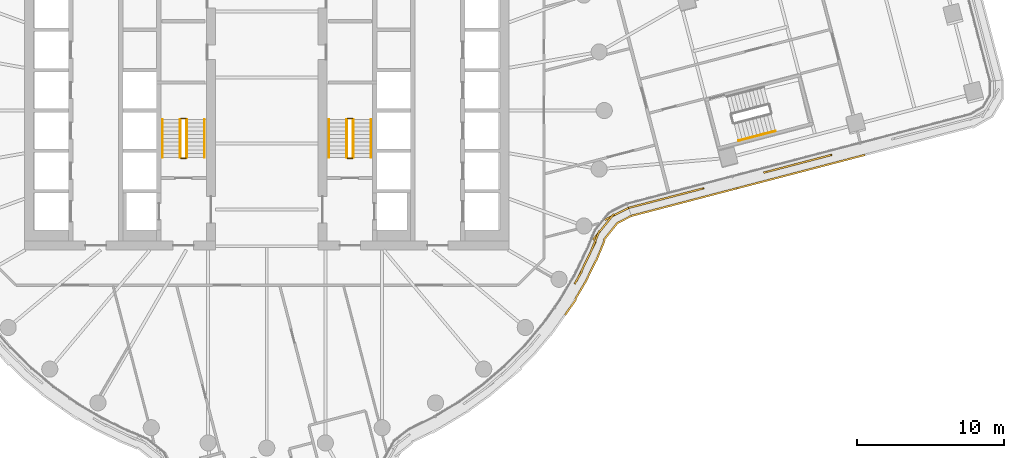
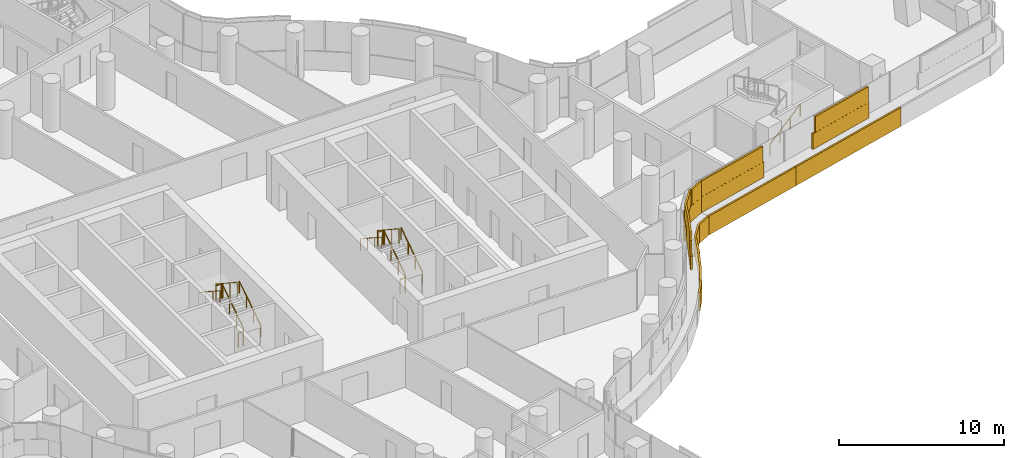
# One storey, part 27 of 30: 13 railings, 3 coverings.
"""IFC4 building model written with IfcOpenShell, lengths in metres."""

from ifc_helpers import new_model, si_unit, direction, frame, origin, origin_2d, place, context, subcontext, project, spatial, rectangle, circle, extrude, material, layer, layer_set, type_object, element, save


model = new_model("IFC4")

# Units and contexts
model_context = context("Model", 3, precision=1e-05, world=origin(), true_north=direction((0.0, 1.0)))
body_context = subcontext(model_context, "Body", "Model", "MODEL_VIEW")
ifc_project = project(units=[si_unit("LENGTHUNIT", "METRE"), si_unit("AREAUNIT", "SQUARE_METRE"), si_unit("VOLUMEUNIT", "CUBIC_METRE"), si_unit("PLANEANGLEUNIT", "RADIAN"), si_unit("MASSUNIT", "GRAM", prefix="KILO")], contexts=[model_context])

# Site, building, storey
site_placement = place(None, origin())
site = spatial("IfcSite", under=ifc_project, at=site_placement, CompositionType="ELEMENT")
building_placement = place(site_placement, origin())
building = spatial("IfcBuilding", under=site, at=building_placement, Name="Tamarind Cross Interchange Tower", CompositionType="ELEMENT")
storey_placement = place(building_placement, frame((0.0, 0.0, 87.25)))
storey = spatial("IfcBuildingStorey", under=building, at=storey_placement, Name="L20", CompositionType="ELEMENT", Elevation=87.25)

# Railings
ifc_material_1 = material(Name="Stair guard")
railing_type_1 = type_object("IfcRailingType", Name="Stair guard", PredefinedType="GUARDRAIL", material=ifc_material_1)
railing_1_placement = place(storey_placement, frame((-5.449951171875, -3.199951171875, 0.17041015625)))
element("IfcRailing", 1, at=railing_1_placement, inside=storey, type_object=railing_type_1, Name="L20 ST1 stair guard 1", PredefinedType="GUARDRAIL", context=body_context, shape_type="SweptSolid", body=[
    extrude(circle(Radius=0.02392578125, at=origin_2d()), frame((0.0, 0.0, 1.076171875), z_axis=(0.0, 0.836278606002, 0.548304744775), x_axis=(-1.0, 0.0, 0.0)), (0.0, 0.0, 1.0), 3.10888671875),
    extrude(circle(Radius=0.02099609375, at=origin_2d()), origin(), (0.0, 0.0, 1.0), 1.052001953125),
    extrude(circle(Radius=0.02099609375, at=origin_2d()), frame((0.0, 0.86669921875, 0.568115234375)), (0.0, 0.0, 1.0), 1.052001953125),
    extrude(circle(Radius=0.02099609375, at=origin_2d()), frame((0.0, 1.733154296875, 1.136474609375)), (0.0, 0.0, 1.0), 1.052001953125),
    extrude(circle(Radius=0.02099609375, at=origin_2d()), frame((0.0, 2.599853515625, 1.70458984375)), (0.0, 0.0, 1.0), 1.052001953125),
])
railing_2_placement = place(storey_placement, frame((-5.5, -0.550048828125, 1.875)))
element("IfcRailing", 2, at=railing_2_placement, inside=storey, type_object=railing_type_1, Name="L20 ST1 stair guard 2", PredefinedType="GUARDRAIL", context=body_context, shape_type="SweptSolid", body=[
    extrude(circle(Radius=0.02392578125, at=origin_2d()), frame((0.0, 0.0, 1.076171875), z_axis=(-1.0, 0.0, 0.0), x_axis=(0.0, -1.0, 0.0)), (0.0, 0.0, 1.0), 0.35009765625),
    extrude(circle(Radius=0.02099609375, at=origin_2d()), origin(), (0.0, 0.0, 1.0), 1.052001953125),
    extrude(circle(Radius=0.02099609375, at=origin_2d()), frame((-0.35009765625, 0.0, 0.0)), (0.0, 0.0, 1.0), 1.052001953125),
])
railing_3_placement = place(storey_placement, frame((-5.89990234375, -0.60009765625, 2.04541015625)))
element("IfcRailing", 3, at=railing_3_placement, inside=storey, type_object=railing_type_1, Name="L20 ST1 stair guard 3", PredefinedType="GUARDRAIL", context=body_context, shape_type="SweptSolid", body=[
    extrude(circle(Radius=0.02392578125, at=origin_2d()), frame((0.0, 0.0, 1.076171875), z_axis=(0.0, -0.836278606002, 0.548304744775), x_axis=(1.0, 0.0, 0.0)), (0.0, 0.0, 1.0), 3.10888671875),
    extrude(circle(Radius=0.02099609375, at=origin_2d()), origin(), (0.0, 0.0, 1.0), 1.052001953125),
    extrude(circle(Radius=0.02099609375, at=origin_2d()), frame((0.0, -0.86669921875, 0.568115234375)), (0.0, 0.0, 1.0), 1.052001953125),
    extrude(circle(Radius=0.02099609375, at=origin_2d()), frame((0.0, -1.733154296875, 1.136474609375)), (0.0, 0.0, 1.0), 1.052001953125),
    extrude(circle(Radius=0.02099609375, at=origin_2d()), frame((0.0, -2.599853515625, 1.70458984375)), (0.0, 0.0, 1.0), 1.052001953125),
])
railing_4_placement = place(storey_placement, frame((-5.5, -3.25, 0.0)))
element("IfcRailing", 4, at=railing_4_placement, inside=storey, type_object=railing_type_1, Name="L20 ST1 stair guard 4", PredefinedType="GUARDRAIL", context=body_context, shape_type="SweptSolid", body=[
    extrude(circle(Radius=0.02392578125, at=origin_2d()), frame((0.0, 0.0, 1.076171875), z_axis=(-1.0, 0.0, 0.0), x_axis=(0.0, -1.0, 0.0)), (0.0, 0.0, 1.0), 0.35009765625),
    extrude(circle(Radius=0.02099609375, at=origin_2d()), origin(), (0.0, 0.0, 1.0), 1.052001953125),
    extrude(circle(Radius=0.02099609375, at=origin_2d()), frame((-0.35009765625, 0.0, 0.0)), (0.0, 0.0, 1.0), 1.052001953125),
])
railing_5_placement = place(storey_placement, frame((5.89990234375, -3.199951171875, 0.17041015625)))
element("IfcRailing", 5, at=railing_5_placement, inside=storey, type_object=railing_type_1, Name="L20 ST2 stair guard 1", PredefinedType="GUARDRAIL", context=body_context, shape_type="SweptSolid", body=[
    extrude(circle(Radius=0.02392578125, at=origin_2d()), frame((0.0, 0.0, 1.076171875), z_axis=(0.0, 0.836278606002, 0.548304744775), x_axis=(-1.0, 0.0, 0.0)), (0.0, 0.0, 1.0), 3.10888671875),
    extrude(circle(Radius=0.02099609375, at=origin_2d()), origin(), (0.0, 0.0, 1.0), 1.052001953125),
    extrude(circle(Radius=0.02099609375, at=origin_2d()), frame((0.0, 0.86669921875, 0.568115234375)), (0.0, 0.0, 1.0), 1.052001953125),
    extrude(circle(Radius=0.02099609375, at=origin_2d()), frame((0.0, 1.733154296875, 1.136474609375)), (0.0, 0.0, 1.0), 1.052001953125),
    extrude(circle(Radius=0.02099609375, at=origin_2d()), frame((0.0, 2.599853515625, 1.70458984375)), (0.0, 0.0, 1.0), 1.052001953125),
])
railing_6_placement = place(storey_placement, frame((5.85009765625, -0.550048828125, 1.875)))
element("IfcRailing", 6, at=railing_6_placement, inside=storey, type_object=railing_type_1, Name="L20 ST2 stair guard 2", PredefinedType="GUARDRAIL", context=body_context, shape_type="SweptSolid", body=[
    extrude(circle(Radius=0.02392578125, at=origin_2d()), frame((0.0, 0.0, 1.076171875), z_axis=(-1.0, 0.0, 0.0), x_axis=(0.0, -1.0, 0.0)), (0.0, 0.0, 1.0), 0.35009765625),
    extrude(circle(Radius=0.02099609375, at=origin_2d()), origin(), (0.0, 0.0, 1.0), 1.052001953125),
    extrude(circle(Radius=0.02099609375, at=origin_2d()), frame((-0.35009765625, 0.0, 0.0)), (0.0, 0.0, 1.0), 1.052001953125),
])
railing_7_placement = place(storey_placement, frame((5.449951171875, -0.60009765625, 2.04541015625)))
element("IfcRailing", 7, at=railing_7_placement, inside=storey, type_object=railing_type_1, Name="L20 ST2 stair guard 3", PredefinedType="GUARDRAIL", context=body_context, shape_type="SweptSolid", body=[
    extrude(circle(Radius=0.02392578125, at=origin_2d()), frame((0.0, 0.0, 1.076171875), z_axis=(0.0, -0.836278606002, 0.548304744775), x_axis=(1.0, 0.0, 0.0)), (0.0, 0.0, 1.0), 3.10888671875),
    extrude(circle(Radius=0.02099609375, at=origin_2d()), origin(), (0.0, 0.0, 1.0), 1.052001953125),
    extrude(circle(Radius=0.02099609375, at=origin_2d()), frame((0.0, -0.86669921875, 0.568115234375)), (0.0, 0.0, 1.0), 1.052001953125),
    extrude(circle(Radius=0.02099609375, at=origin_2d()), frame((0.0, -1.733154296875, 1.136474609375)), (0.0, 0.0, 1.0), 1.052001953125),
    extrude(circle(Radius=0.02099609375, at=origin_2d()), frame((0.0, -2.599853515625, 1.70458984375)), (0.0, 0.0, 1.0), 1.052001953125),
])
railing_8_placement = place(storey_placement, frame((5.85009765625, -3.25, 0.0)))
element("IfcRailing", 8, at=railing_8_placement, inside=storey, type_object=railing_type_1, Name="L20 ST2 stair guard 4", PredefinedType="GUARDRAIL", context=body_context, shape_type="SweptSolid", body=[
    extrude(circle(Radius=0.02392578125, at=origin_2d()), frame((0.0, 0.0, 1.076171875), z_axis=(-1.0, 0.0, 0.0), x_axis=(0.0, -1.0, 0.0)), (0.0, 0.0, 1.0), 0.35009765625),
    extrude(circle(Radius=0.02099609375, at=origin_2d()), origin(), (0.0, 0.0, 1.0), 1.052001953125),
    extrude(circle(Radius=0.02099609375, at=origin_2d()), frame((-0.35009765625, 0.0, 0.0)), (0.0, 0.0, 1.0), 1.052001953125),
])
ifc_material_2 = material(Name="Stair handrail")
railing_type_2 = type_object("IfcRailingType", Name="Stair handrail", PredefinedType="HANDRAIL", material=ifc_material_2)
railing_9_placement = place(storey_placement, frame((-4.25, -3.199951171875, 0.17041015625)))
element("IfcRailing", 9, at=railing_9_placement, inside=storey, type_object=railing_type_2, Name="L20 ST1 stair handrail 1", PredefinedType="HANDRAIL", context=body_context, shape_type="SweptSolid", body=[
    extrude(circle(Radius=0.02392578125, at=origin_2d()), frame((0.0, 0.0, 0.8759765625), z_axis=(0.0, 0.836278606002, 0.548304744775), x_axis=(-1.0, 0.0, 0.0)), (0.0, 0.0, 1.0), 3.10888671875),
    extrude(circle(Radius=0.02099609375, at=origin_2d()), origin(), (0.0, 0.0, 1.0), 0.851806640625),
    extrude(circle(Radius=0.02099609375, at=origin_2d()), frame((0.0, 0.86669921875, 0.568115234375)), (0.0, 0.0, 1.0), 0.851806640625),
    extrude(circle(Radius=0.02099609375, at=origin_2d()), frame((0.0, 1.733154296875, 1.136474609375)), (0.0, 0.0, 1.0), 0.851806640625),
    extrude(circle(Radius=0.02099609375, at=origin_2d()), frame((0.0, 2.599853515625, 1.70458984375)), (0.0, 0.0, 1.0), 0.851806640625),
])
railing_10_placement = place(storey_placement, frame((-7.10009765625, -0.60009765625, 2.04541015625)))
element("IfcRailing", 10, at=railing_10_placement, inside=storey, type_object=railing_type_2, Name="L20 ST1 stair handrail 2", PredefinedType="HANDRAIL", context=body_context, shape_type="SweptSolid", body=[
    extrude(circle(Radius=0.02392578125, at=origin_2d()), frame((0.0, 0.0, 0.8759765625), z_axis=(0.0, -0.836278606002, 0.548304744775), x_axis=(1.0, 0.0, 0.0)), (0.0, 0.0, 1.0), 3.10888671875),
    extrude(circle(Radius=0.02099609375, at=origin_2d()), origin(), (0.0, 0.0, 1.0), 0.851806640625),
    extrude(circle(Radius=0.02099609375, at=origin_2d()), frame((0.0, -0.86669921875, 0.568115234375)), (0.0, 0.0, 1.0), 0.851806640625),
    extrude(circle(Radius=0.02099609375, at=origin_2d()), frame((0.0, -1.733154296875, 1.136474609375)), (0.0, 0.0, 1.0), 0.851806640625),
    extrude(circle(Radius=0.02099609375, at=origin_2d()), frame((0.0, -2.599853515625, 1.70458984375)), (0.0, 0.0, 1.0), 0.851806640625),
])
railing_11_placement = place(storey_placement, frame((7.10009765625, -3.199951171875, 0.17041015625)))
element("IfcRailing", 11, at=railing_11_placement, inside=storey, type_object=railing_type_2, Name="L20 ST2 stair handrail 1", PredefinedType="HANDRAIL", context=body_context, shape_type="SweptSolid", body=[
    extrude(circle(Radius=0.02392578125, at=origin_2d()), frame((0.0, 0.0, 0.8759765625), z_axis=(0.0, 0.836278606002, 0.548304744775), x_axis=(-1.0, 0.0, 0.0)), (0.0, 0.0, 1.0), 3.10888671875),
    extrude(circle(Radius=0.02099609375, at=origin_2d()), origin(), (0.0, 0.0, 1.0), 0.851806640625),
    extrude(circle(Radius=0.02099609375, at=origin_2d()), frame((0.0, 0.86669921875, 0.568115234375)), (0.0, 0.0, 1.0), 0.851806640625),
    extrude(circle(Radius=0.02099609375, at=origin_2d()), frame((0.0, 1.733154296875, 1.136474609375)), (0.0, 0.0, 1.0), 0.851806640625),
    extrude(circle(Radius=0.02099609375, at=origin_2d()), frame((0.0, 2.599853515625, 1.70458984375)), (0.0, 0.0, 1.0), 0.851806640625),
])
railing_12_placement = place(storey_placement, frame((4.25, -0.60009765625, 2.04541015625)))
element("IfcRailing", 12, at=railing_12_placement, inside=storey, type_object=railing_type_2, Name="L20 ST2 stair handrail 2", PredefinedType="HANDRAIL", context=body_context, shape_type="SweptSolid", body=[
    extrude(circle(Radius=0.02392578125, at=origin_2d()), frame((0.0, 0.0, 0.8759765625), z_axis=(0.0, -0.836278606002, 0.548304744775), x_axis=(1.0, 0.0, 0.0)), (0.0, 0.0, 1.0), 3.10888671875),
    extrude(circle(Radius=0.02099609375, at=origin_2d()), origin(), (0.0, 0.0, 1.0), 0.851806640625),
    extrude(circle(Radius=0.02099609375, at=origin_2d()), frame((0.0, -0.86669921875, 0.568115234375)), (0.0, 0.0, 1.0), 0.851806640625),
    extrude(circle(Radius=0.02099609375, at=origin_2d()), frame((0.0, -1.733154296875, 1.136474609375)), (0.0, 0.0, 1.0), 0.851806640625),
    extrude(circle(Radius=0.02099609375, at=origin_2d()), frame((0.0, -2.599853515625, 1.70458984375)), (0.0, 0.0, 1.0), 0.851806640625),
])
railing_13_placement = place(storey_placement, frame((32.147705078125, -2.053955078125, 0.17041015625)))
element("IfcRailing", 13, at=railing_13_placement, inside=storey, type_object=railing_type_2, Name="L20 ST3 stair handrail 1", PredefinedType="HANDRAIL", context=body_context, shape_type="SweptSolid", body=[
    extrude(circle(Radius=0.02392578125, at=origin_2d()), frame((0.0, 0.0, 0.8759765625), z_axis=(0.809180515998, 0.211169100109, 0.548301471535), x_axis=(-0.252509817524, 0.96759433238, 0.0)), (0.0, 0.0, 1.0), 3.10888671875),
    extrude(circle(Radius=0.02099609375, at=origin_2d()), origin(), (0.0, 0.0, 1.0), 0.851806640625),
    extrude(circle(Radius=0.02099609375, at=origin_2d()), frame((0.838623046875, 0.21875, 0.568115234375)), (0.0, 0.0, 1.0), 0.851806640625),
    extrude(circle(Radius=0.02099609375, at=origin_2d()), frame((1.677001953125, 0.437744140625, 1.136474609375)), (0.0, 0.0, 1.0), 0.851806640625),
    extrude(circle(Radius=0.02099609375, at=origin_2d()), frame((2.515625, 0.656494140625, 1.70458984375)), (0.0, 0.0, 1.0), 0.851806640625),
])

# Coverings
ifc_material_3 = material(Name="Terracotta", Category="masonry")
ifc_layer = layer(ifc_material_3, 0.1201171875)
ifc_layer_set = layer_set([ifc_layer], Name="Terracotta")
covering_type = type_object("IfcCoveringType", Name="Terracotta baguette screen unit", PredefinedType="MOLDING", material=ifc_layer_set)
covering_1_placement = place(storey_placement, origin())
element("IfcCovering", 14, at=covering_1_placement, inside=storey, type_object=covering_type, Name="SCR-L20-10-01", PredefinedType="MOLDING", context=body_context, shape_type="SweptSolid", body=[
    extrude(rectangle(XDim=1.52001953125, YDim=0.1201171875, at=origin_2d()), frame((21.444580078125, -10.933349609375, 1.404052734375), z_axis=(0.0, 0.0, 1.0), x_axis=(0.435326231914, 0.900272776334, 0.0)), (0.0, 0.0, 1.0), 1.1669921875),
    extrude(rectangle(XDim=1.52001953125, YDim=0.1201171875, at=origin_2d()), frame((22.097412109375, -9.5830078125, 1.404052734375), z_axis=(0.0, 0.0, 1.0), x_axis=(0.435326231914, 0.900272776334, 0.0)), (0.0, 0.0, 1.0), 1.1669921875),
    extrude(rectangle(XDim=1.52001953125, YDim=0.1201171875, at=origin_2d()), frame((22.710205078125, -8.22021484375, 1.404052734375), z_axis=(0.0, 0.0, 1.0), x_axis=(0.628636689106, 0.777699114767, 0.0)), (0.0, 0.0, 1.0), 1.1669921875),
    extrude(rectangle(XDim=1.52001953125, YDim=0.1201171875, at=origin_2d()), frame((23.703369140625, -7.115966796875, 1.404052734375), z_axis=(0.0, 0.0, 1.0), x_axis=(0.891745921286, 0.45253642049, 0.0)), (0.0, 0.0, 1.0), 1.1669921875),
    extrude(rectangle(XDim=0.31982421875, YDim=0.1201171875, at=origin_2d()), frame((24.510498046875, -6.706298828125, 1.404052734375), z_axis=(0.0, 0.0, 1.0), x_axis=(0.891745921286, 0.45253642049, 0.0)), (0.0, 0.0, 1.0), 1.1669921875),
    extrude(rectangle(XDim=1.0126953125, YDim=0.1201171875, at=origin_2d()), frame((21.225341796875, -11.38427734375, 2.5791015625), z_axis=(0.0, 0.0, 1.0), x_axis=(0.508183308752, 0.861248933065, 0.0)), (0.0, 0.0, 1.0), 1.1669921875),
    extrude(rectangle(XDim=1.52001953125, YDim=0.1201171875, at=origin_2d()), frame((21.77099609375, -10.25830078125, 2.5791015625), z_axis=(0.0, 0.0, 1.0), x_axis=(0.435326231914, 0.900272776334, 0.0)), (0.0, 0.0, 1.0), 1.1669921875),
    extrude(rectangle(XDim=1.52001953125, YDim=0.1201171875, at=origin_2d()), frame((22.384521484375, -8.89013671875, 2.5791015625), z_axis=(0.0, 0.0, 1.0), x_axis=(0.382467192657, 0.923969072286, 0.0)), (0.0, 0.0, 1.0), 1.1669921875),
    extrude(rectangle(XDim=1.52001953125, YDim=0.1201171875, at=origin_2d()), frame((23.181640625, -7.636962890625, 2.5791015625), z_axis=(0.0, 0.0, 1.0), x_axis=(0.628636689106, 0.777699114767, 0.0)), (0.0, 0.0, 1.0), 1.1669921875),
    extrude(rectangle(XDim=1.06982421875, YDim=0.1201171875, at=origin_2d()), frame((24.176025390625, -6.8759765625, 2.5791015625), z_axis=(0.0, 0.0, 1.0), x_axis=(0.891745921286, 0.45253642049, 0.0)), (0.0, 0.0, 1.0), 1.1669921875),
    extrude(rectangle(XDim=1.276611328125, YDim=0.1201171875, at=origin_2d()), frame((20.702392578125, -13.399658203125, 0.00390625), z_axis=(0.0, 0.0, 1.0), x_axis=(0.577568978284, 0.816341886298, 0.0)), (0.0, 0.0, 1.0), 1.39208984375),
    extrude(rectangle(XDim=1.52001953125, YDim=0.1201171875, at=origin_2d()), frame((21.40283203125, -12.212646484375, 0.00390625), z_axis=(0.0, 0.0, 1.0), x_axis=(0.508183308752, 0.861248933065, 0.0)), (0.0, 0.0, 1.0), 1.39208984375),
    extrude(rectangle(XDim=1.52001953125, YDim=0.1201171875, at=origin_2d()), frame((22.10400390625, -10.887939453125, 0.00390625), z_axis=(0.0, 0.0, 1.0), x_axis=(0.435326231914, 0.900272776334, 0.0)), (0.0, 0.0, 1.0), 1.39208984375),
    extrude(rectangle(XDim=1.52001953125, YDim=0.1201171875, at=origin_2d()), frame((22.74072265625, -9.5302734375, 0.00390625), z_axis=(0.0, 0.0, 1.0), x_axis=(0.382467192657, 0.923969072286, 0.0)), (0.0, 0.0, 1.0), 1.39208984375),
    extrude(rectangle(XDim=1.52001953125, YDim=0.1201171875, at=origin_2d()), frame((23.4462890625, -8.22265625, 0.00390625), z_axis=(0.0, 0.0, 1.0), x_axis=(0.628636689106, 0.777699114767, 0.0)), (0.0, 0.0, 1.0), 1.39208984375),
    extrude(rectangle(XDim=1.052001953125, YDim=0.1201171875, at=origin_2d()), frame((24.38427734375, -7.4140625, 0.00390625), z_axis=(0.0, 0.0, 1.0), x_axis=(0.891745921286, 0.45253642049, 0.0)), (0.0, 0.0, 1.0), 1.39208984375),
])
covering_2_placement = place(storey_placement, origin())
element("IfcCovering", 15, at=covering_2_placement, inside=storey, type_object=covering_type, Name="SCR-L20-11-00", PredefinedType="MOLDING", context=body_context, shape_type="SweptSolid", body=[
    extrude(rectangle(XDim=1.510009765625, YDim=0.1201171875, at=origin_2d()), frame((25.374267578125, -6.44677734375, 1.404052734375), z_axis=(0.0, 0.0, 1.0), x_axis=(0.967589396666, 0.252528729967, 0.0)), (0.0, 0.0, 1.0), 1.1669921875),
    extrude(rectangle(XDim=1.52001953125, YDim=0.1201171875, at=origin_2d()), frame((26.82568359375, -6.068115234375, 1.404052734375), z_axis=(0.0, 0.0, 1.0), x_axis=(0.967589396666, 0.252528729967, 0.0)), (0.0, 0.0, 1.0), 1.1669921875),
    extrude(rectangle(XDim=1.52001953125, YDim=0.1201171875, at=origin_2d()), frame((28.277099609375, -5.689208984375, 1.404052734375), z_axis=(0.0, 0.0, 1.0), x_axis=(0.967589396666, 0.252528729967, 0.0)), (0.0, 0.0, 1.0), 1.1669921875),
    extrude(rectangle(XDim=0.833251953125, YDim=0.1201171875, at=origin_2d()), frame((29.401123046875, -5.395751953125, 1.404052734375), z_axis=(0.0, 0.0, 1.0), x_axis=(0.967589396666, 0.252528729967, 0.0)), (0.0, 0.0, 1.0), 1.1669921875),
    extrude(rectangle(XDim=0.760009765625, YDim=0.1201171875, at=origin_2d()), frame((25.011474609375, -6.54150390625, 2.5791015625), z_axis=(0.0, 0.0, 1.0), x_axis=(0.967589396666, 0.252528729967, 0.0)), (0.0, 0.0, 1.0), 1.1669921875),
    extrude(rectangle(XDim=1.52001953125, YDim=0.1201171875, at=origin_2d()), frame((26.10009765625, -6.25732421875, 2.5791015625), z_axis=(0.0, 0.0, 1.0), x_axis=(0.967589396666, 0.252528729967, 0.0)), (0.0, 0.0, 1.0), 1.1669921875),
    extrude(rectangle(XDim=1.52001953125, YDim=0.1201171875, at=origin_2d()), frame((27.551513671875, -5.878662109375, 2.5791015625), z_axis=(0.0, 0.0, 1.0), x_axis=(0.967589396666, 0.252528729967, 0.0)), (0.0, 0.0, 1.0), 1.1669921875),
    extrude(rectangle(XDim=1.52001953125, YDim=0.1201171875, at=origin_2d()), frame((29.0029296875, -5.499755859375, 2.5791015625), z_axis=(0.0, 0.0, 1.0), x_axis=(0.967589396666, 0.252528729967, 0.0)), (0.0, 0.0, 1.0), 1.1669921875),
    extrude(rectangle(XDim=1.510009765625, YDim=0.1201171875, at=origin_2d()), frame((25.583984375, -6.9853515625, 0.00390625), z_axis=(0.0, 0.0, 1.0), x_axis=(0.967589396666, 0.252528729967, 0.0)), (0.0, 0.0, 1.0), 1.39208984375),
    extrude(rectangle(XDim=1.52001953125, YDim=0.1201171875, at=origin_2d()), frame((27.030517578125, -6.60791015625, 0.00390625), z_axis=(0.0, 0.0, 1.0), x_axis=(0.967589396666, 0.252528729967, 0.0)), (0.0, 0.0, 1.0), 1.39208984375),
    extrude(rectangle(XDim=1.52001953125, YDim=0.1201171875, at=origin_2d()), frame((28.48193359375, -6.22900390625, 0.00390625), z_axis=(0.0, 0.0, 1.0), x_axis=(0.967589396666, 0.252528729967, 0.0)), (0.0, 0.0, 1.0), 1.39208984375),
    extrude(rectangle(XDim=1.52001953125, YDim=0.1201171875, at=origin_2d()), frame((29.933349609375, -5.850341796875, 0.00390625), z_axis=(0.0, 0.0, 1.0), x_axis=(0.967589396666, 0.252528729967, 0.0)), (0.0, 0.0, 1.0), 1.39208984375),
    extrude(rectangle(XDim=1.4375, YDim=0.1201171875, at=origin_2d()), frame((31.3447265625, -5.48193359375, 0.00390625), z_axis=(0.0, 0.0, 1.0), x_axis=(0.967589396666, 0.252528729967, 0.0)), (0.0, 0.0, 1.0), 1.39208984375),
])
covering_3_placement = place(storey_placement, origin())
element("IfcCovering", 16, at=covering_3_placement, inside=storey, type_object=covering_type, Name="SCR-L20-11-01", PredefinedType="MOLDING", context=body_context, shape_type="SweptSolid", body=[
    extrude(rectangle(XDim=0.986572265625, YDim=0.1201171875, at=origin_2d()), frame((34.3359375, -4.10791015625, 1.404052734375), z_axis=(0.0, 0.0, 1.0), x_axis=(0.967589396666, 0.252528729967, 0.0)), (0.0, 0.0, 1.0), 1.1669921875),
    extrude(rectangle(XDim=1.52001953125, YDim=0.1201171875, at=origin_2d()), frame((35.5341796875, -3.795166015625, 1.404052734375), z_axis=(0.0, 0.0, 1.0), x_axis=(0.967589396666, 0.252528729967, 0.0)), (0.0, 0.0, 1.0), 1.1669921875),
    extrude(rectangle(XDim=1.52001953125, YDim=0.1201171875, at=origin_2d()), frame((36.9853515625, -3.41650390625, 1.404052734375), z_axis=(0.0, 0.0, 1.0), x_axis=(0.967589396666, 0.252528729967, 0.0)), (0.0, 0.0, 1.0), 1.1669921875),
    extrude(rectangle(XDim=0.834228515625, YDim=0.1201171875, at=origin_2d()), frame((38.10986328125, -3.123046875, 1.404052734375), z_axis=(0.0, 0.0, 1.0), x_axis=(0.967589396666, 0.252528729967, 0.0)), (0.0, 0.0, 1.0), 1.1669921875),
    extrude(rectangle(XDim=1.52001953125, YDim=0.1201171875, at=origin_2d()), frame((34.808349609375, -3.984619140625, 2.5791015625), z_axis=(0.0, 0.0, 1.0), x_axis=(0.967589396666, 0.252528729967, 0.0)), (0.0, 0.0, 1.0), 1.1669921875),
    extrude(rectangle(XDim=1.52001953125, YDim=0.1201171875, at=origin_2d()), frame((36.259765625, -3.60595703125, 2.5791015625), z_axis=(0.0, 0.0, 1.0), x_axis=(0.967589396666, 0.252528729967, 0.0)), (0.0, 0.0, 1.0), 1.1669921875),
    extrude(rectangle(XDim=1.52001953125, YDim=0.1201171875, at=origin_2d()), frame((37.711181640625, -3.22705078125, 2.5791015625), z_axis=(0.0, 0.0, 1.0), x_axis=(0.967589396666, 0.252528729967, 0.0)), (0.0, 0.0, 1.0), 1.1669921875),
    extrude(rectangle(XDim=0.08251953125, YDim=0.1201171875, at=origin_2d()), frame((32.080078125, -5.2900390625, 0.00390625), z_axis=(0.0, 0.0, 1.0), x_axis=(0.967589396666, 0.252528729967, 0.0)), (0.0, 0.0, 1.0), 1.39208984375),
    extrude(rectangle(XDim=1.52001953125, YDim=0.1201171875, at=origin_2d()), frame((32.8359375, -5.0927734375, 0.00390625), z_axis=(0.0, 0.0, 1.0), x_axis=(0.967589396666, 0.252528729967, 0.0)), (0.0, 0.0, 1.0), 1.39208984375),
    extrude(rectangle(XDim=1.52001953125, YDim=0.1201171875, at=origin_2d()), frame((34.287353515625, -4.7138671875, 0.00390625), z_axis=(0.0, 0.0, 1.0), x_axis=(0.967589396666, 0.252528729967, 0.0)), (0.0, 0.0, 1.0), 1.39208984375),
    extrude(rectangle(XDim=1.52001953125, YDim=0.1201171875, at=origin_2d()), frame((35.73876953125, -4.3349609375, 0.00390625), z_axis=(0.0, 0.0, 1.0), x_axis=(0.967589396666, 0.252528729967, 0.0)), (0.0, 0.0, 1.0), 1.39208984375),
    extrude(rectangle(XDim=1.52001953125, YDim=0.1201171875, at=origin_2d()), frame((37.190185546875, -3.956298828125, 0.00390625), z_axis=(0.0, 0.0, 1.0), x_axis=(0.967589396666, 0.252528729967, 0.0)), (0.0, 0.0, 1.0), 1.39208984375),
    extrude(rectangle(XDim=1.52001953125, YDim=0.1201171875, at=origin_2d()), frame((38.6416015625, -3.577392578125, 0.00390625), z_axis=(0.0, 0.0, 1.0), x_axis=(0.967589396666, 0.252528729967, 0.0)), (0.0, 0.0, 1.0), 1.39208984375),
    extrude(rectangle(XDim=1.443603515625, YDim=0.1201171875, at=origin_2d()), frame((40.055908203125, -3.208251953125, 0.00390625), z_axis=(0.0, 0.0, 1.0), x_axis=(0.967589396666, 0.252528729967, 0.0)), (0.0, 0.0, 1.0), 1.39208984375),
])

save(model, "model.ifc")
